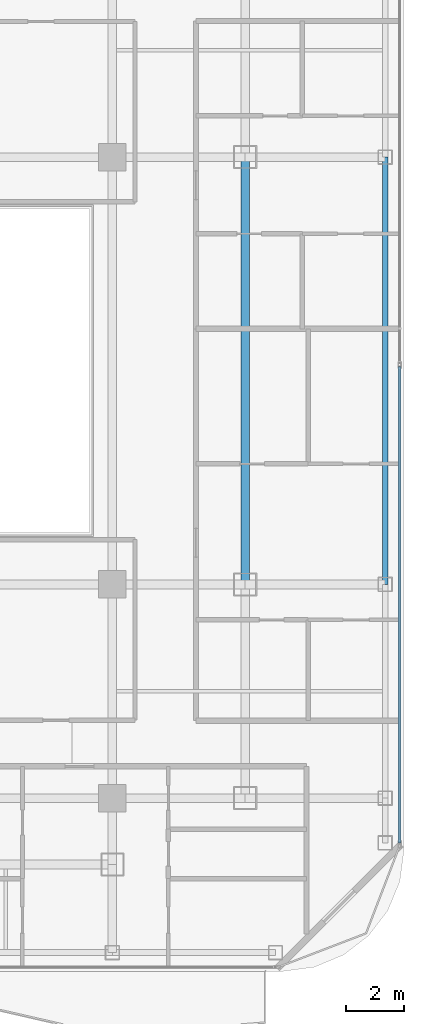
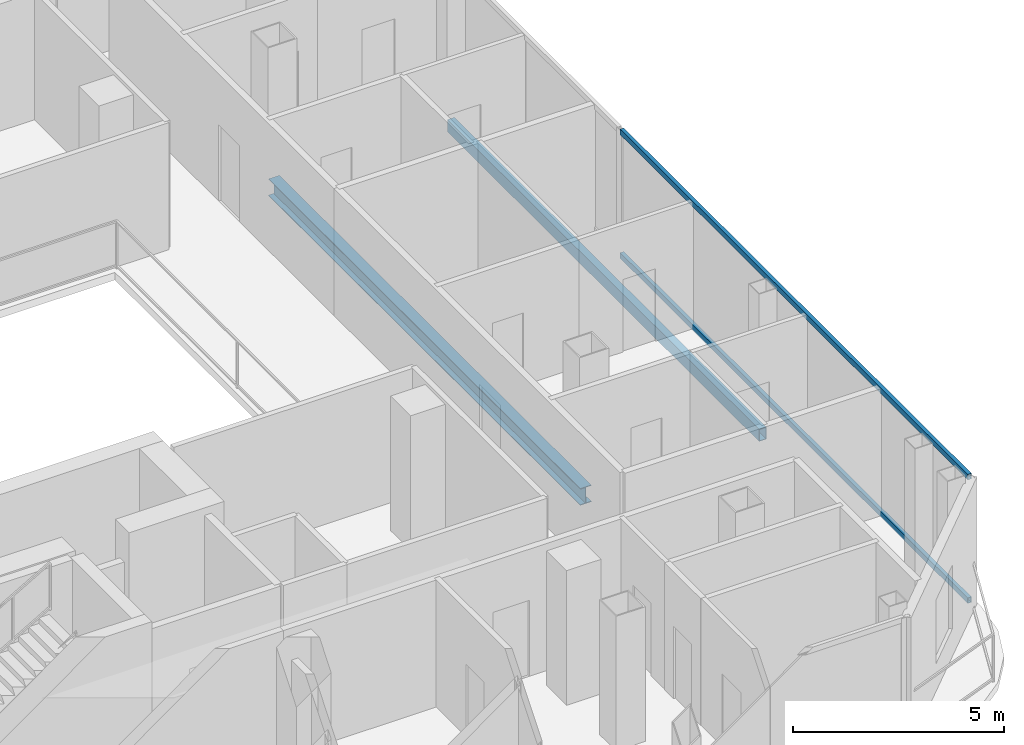
# One storey, part 8 of 23: 2 beams, 2 members, 1 element without a shape of its own.
"""IFC4 building model written with IfcOpenShell, lengths in metres."""

from ifc_helpers import new_model, si_unit, direction, frame, origin, origin_2d, place, context, subcontext, project, spatial, hollow_rectangle, i_section, extrude, material, layer, layer_set, material_profile, profile_set, type_object, element, aggregate, save


model = new_model("IFC4")

# Units and contexts
model_context = context("Model", 3, precision=1e-05, world=origin(), true_north=direction((0.0, 1.0)))
body_context = subcontext(model_context, "Body", "Model", "MODEL_VIEW")
ifc_project = project(units=[si_unit("LENGTHUNIT", "METRE"), si_unit("AREAUNIT", "SQUARE_METRE"), si_unit("VOLUMEUNIT", "CUBIC_METRE"), si_unit("PLANEANGLEUNIT", "RADIAN"), si_unit("MASSUNIT", "GRAM", prefix="KILO")], contexts=[model_context])

# Site, building, storey
site_placement = place(None, origin())
site = spatial("IfcSite", under=ifc_project, at=site_placement, CompositionType="ELEMENT")
building_placement = place(site_placement, origin())
building = spatial("IfcBuilding", under=site, at=building_placement, Name="Khorvyn Point Tower", CompositionType="ELEMENT")
storey_placement = place(building_placement, frame((0.0, 0.0, 258.60009765625)))
storey = spatial("IfcBuildingStorey", under=building, at=storey_placement, Name="L63", CompositionType="ELEMENT", Elevation=258.60009765625)

# Curtain wall, members
ifc_material_1 = material(Name="Anodised aluminium 6063-T6 and laminated Low-E glass", Category="aluminium")
ifc_layer = layer(ifc_material_1, 0.18994140625)
ifc_layer_set = layer_set([ifc_layer], Name="Stick-Built High-Wind Curtain Wall CW-SYS-04")
curtain_wall_type = type_object("IfcCurtainWallType", Name="Stick-Built High-Wind Curtain Wall CW-SYS-04", PredefinedType="NOTDEFINED", material=ifc_layer_set)
curtain_wall_placement = place(storey_placement, origin())
curtain_wall = element("IfcCurtainWall", 1, at=curtain_wall_placement, inside=storey, type_object=curtain_wall_type, Name="Curtain Wall", PredefinedType="NOTDEFINED")
ifc_material_2 = material(Name="Anodised aluminium 6063-T6", Category="aluminium")
ifc_material_profile_1 = material_profile(ifc_material_2, hollow_rectangle(XDim=0.10009765625, YDim=0.159912109375, WallThickness=0.00439453125, at=origin_2d()))
ifc_profile_set_1 = profile_set([ifc_material_profile_1], Name="Anodised aluminium 6063-T6 ALU-TRN-100x160")
member_type = type_object("IfcMemberType", Name="Anodised Aluminium 6063-T6 Transom ALU-TRN-100x160", PredefinedType="USERDEFINED", material=ifc_profile_set_1)
member_1_placement = place(storey_placement, frame((24.75, 0.14990234375, 0.0498046875), z_axis=(0.0, -1.0, 0.0), x_axis=(1.0, 0.0, 0.0)))
member_1 = element("IfcMember", 2, at=member_1_placement, type_object=member_type, Name="Transom", ObjectType="TRANSOM", PredefinedType="USERDEFINED", context=body_context, shape_type="SweptSolid", body=[
    extrude(hollow_rectangle(XDim=0.10009765625, YDim=0.159912109375, WallThickness=0.00439453125, at=origin_2d()), origin(), (0.0, 0.0, 1.0), 16.5),
])
member_2_placement = place(storey_placement, frame((24.75, 0.14990234375, 3.6298828125), z_axis=(0.0, -1.0, 0.0), x_axis=(1.0, 0.0, 0.0)))
member_2 = element("IfcMember", 3, at=member_2_placement, type_object=member_type, Name="Transom", ObjectType="TRANSOM", PredefinedType="USERDEFINED", context=body_context, shape_type="SweptSolid", body=[
    extrude(hollow_rectangle(XDim=0.10009765625, YDim=0.159912109375, WallThickness=0.00439453125, at=origin_2d()), origin(), (0.0, 0.0, 1.0), 16.5),
])
aggregate(curtain_wall, [member_1, member_2])

# Beams
ifc_material_3 = material(Name="Steel S355", Category="steel")
ifc_material_profile_2 = material_profile(ifc_material_3, i_section(OverallWidth=0.300048828125, OverallDepth=0.488037109375, WebThickness=0.010986328125, FlangeThickness=0.01806640625, at=origin_2d()))
ifc_profile_set_2 = profile_set([ifc_material_profile_2], Name="Steel S355 H488x300x11x18")
beam_type_1 = type_object("IfcBeamType", Name="Steel S355 Spandrel H488x300x11x18", PredefinedType="SPANDREL", material=ifc_profile_set_2)
beam_1_placement = place(storey_placement, frame((19.39990234375, -7.39990234375, -0.464111328125), z_axis=(0.0, 1.0, 0.0), x_axis=(-1.0, 0.0, 0.0)))
element("IfcBeam", 4, at=beam_1_placement, inside=storey, type_object=beam_type_1, Name="Beam", PredefinedType="SPANDREL", context=body_context, shape_type="SweptSolid", body=[
    extrude(i_section(OverallWidth=0.300048828125, OverallDepth=0.488037109375, WebThickness=0.010986328125, FlangeThickness=0.01806640625, at=origin_2d()), origin(), (0.0, 0.0, 1.0), 14.7998046875),
])
ifc_material_profile_3 = material_profile(ifc_material_3, hollow_rectangle(XDim=0.199951171875, YDim=0.35009765625, WallThickness=0.013916015625, at=origin_2d()))
ifc_profile_set_3 = profile_set([ifc_material_profile_3], Name="Steel S355 RHS350x200x14")
beam_type_2 = type_object("IfcBeamType", Name="Steel S355 Spandrel RHS350x200x14", PredefinedType="SPANDREL", material=ifc_profile_set_3)
beam_2_placement = place(storey_placement, frame((24.25, -7.39990234375, -0.39501953125), z_axis=(0.0, 1.0, 0.0), x_axis=(-1.0, 0.0, 0.0)))
element("IfcBeam", 5, at=beam_2_placement, inside=storey, type_object=beam_type_2, Name="Beam", PredefinedType="SPANDREL", context=body_context, shape_type="SweptSolid", body=[
    extrude(hollow_rectangle(XDim=0.199951171875, YDim=0.35009765625, WallThickness=0.013916015625, at=origin_2d()), origin(), (0.0, 0.0, 1.0), 14.7998046875),
])

save(model, "model.ifc")
